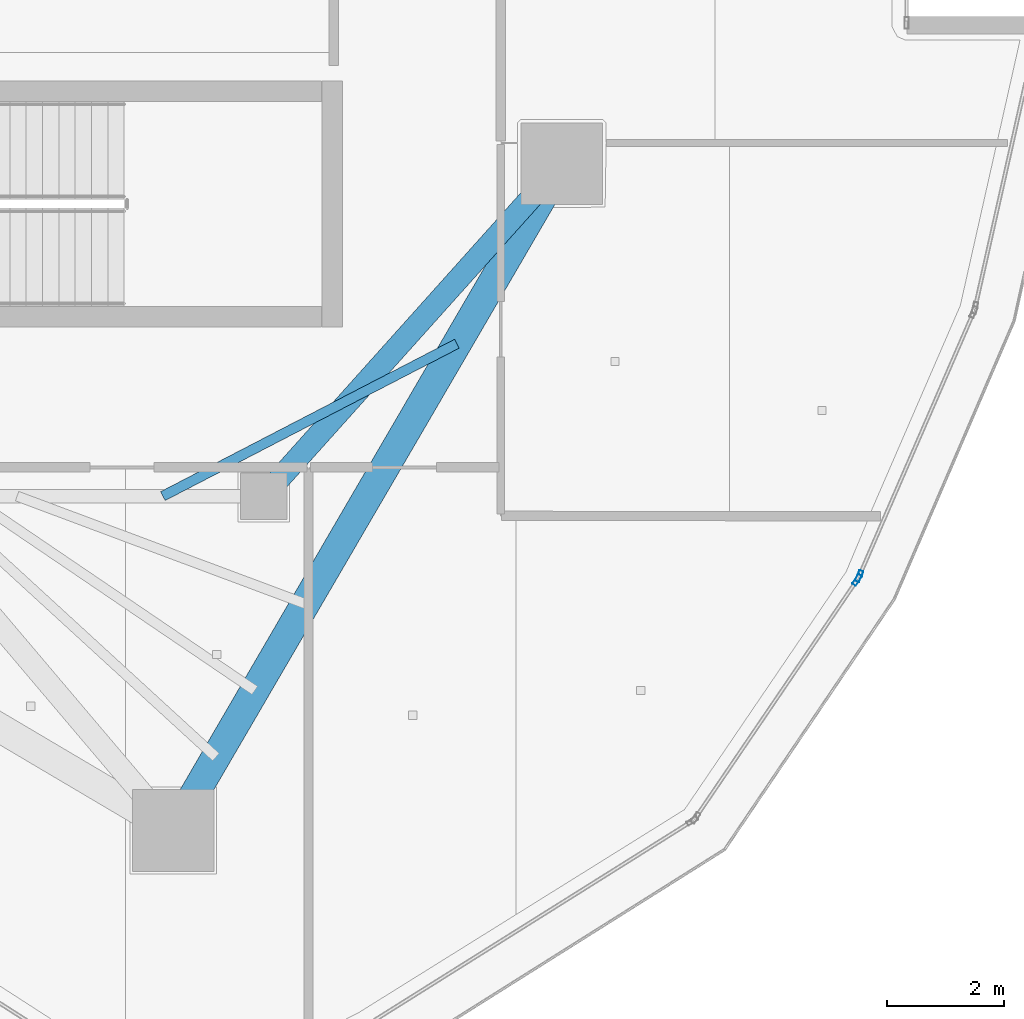
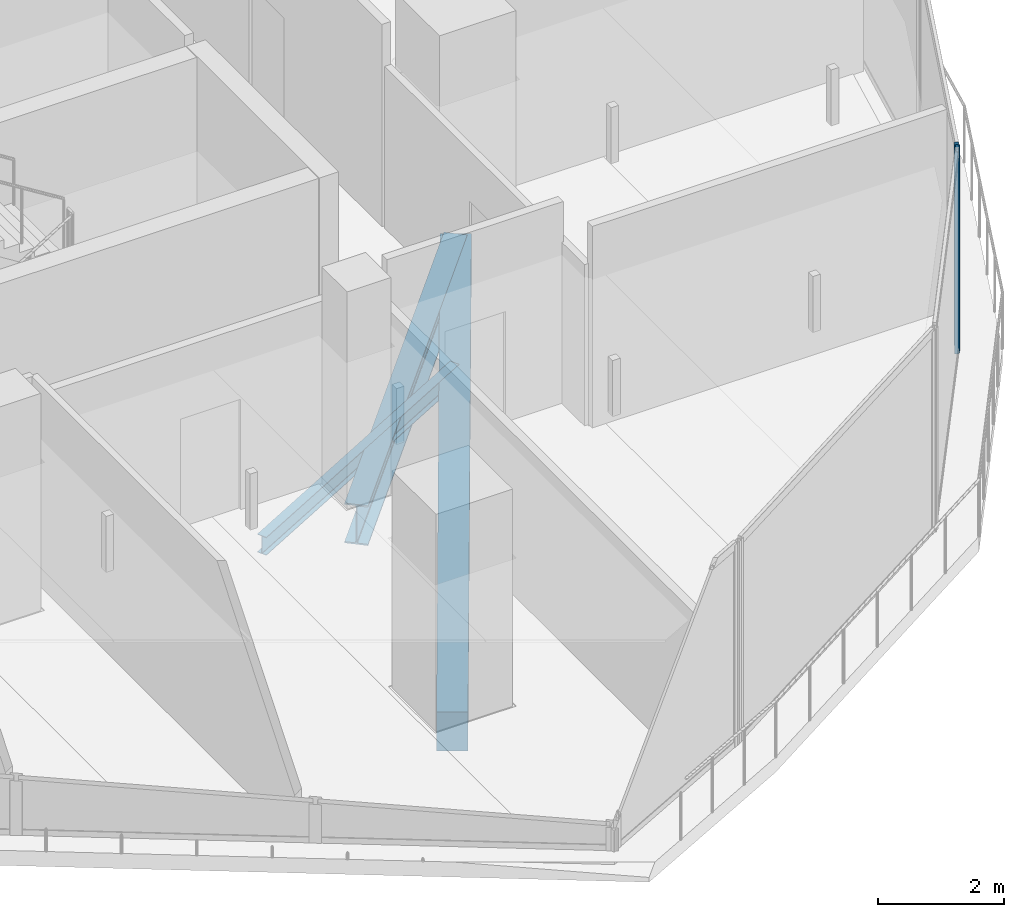
# One storey, part 8 of 25: 3 beams, 2 members, 2 elements without a shape of their own.
"""IFC4 building model written with IfcOpenShell, lengths in metres."""

from ifc_helpers import new_model, si_unit, direction, frame, origin, origin_2d, place, context, subcontext, project, spatial, rectangle, hollow_rectangle, i_section, extrude, material, layer, layer_set, material_profile, profile_set, type_object, element, aggregate, save


model = new_model("IFC4")

# Units and contexts
model_context = context("Model", 3, precision=1e-05, world=origin(), true_north=direction((0.0, 1.0)))
body_context = subcontext(model_context, "Body", "Model", "MODEL_VIEW")
ifc_project = project(units=[si_unit("LENGTHUNIT", "METRE"), si_unit("AREAUNIT", "SQUARE_METRE"), si_unit("VOLUMEUNIT", "CUBIC_METRE"), si_unit("PLANEANGLEUNIT", "RADIAN"), si_unit("MASSUNIT", "GRAM", prefix="KILO")], contexts=[model_context])

# Site, building, storey
site_placement = place(None, origin())
site = spatial("IfcSite", under=ifc_project, at=site_placement, CompositionType="ELEMENT")
building_placement = place(site_placement, origin())
building = spatial("IfcBuilding", under=site, at=building_placement, Name="Qorvath Tower", CompositionType="ELEMENT")
storey_placement = place(building_placement, frame((0.0, 0.0, 306.0)))
storey = spatial("IfcBuildingStorey", under=building, at=storey_placement, Name="L71", CompositionType="ELEMENT", Elevation=306.0)

# Beams
ifc_material_1 = material(Name="Steel ASTM A992 Grade 50", Category="steel")
ifc_material_profile_1 = material_profile(ifc_material_1, i_section(OverallWidth=0.381103515625, OverallDepth=0.77294921875, WebThickness=0.0166015625, FlangeThickness=0.027099609375, FilletRadius=0.01904296875, at=origin_2d()), Name="W30x173")
ifc_profile_set_1 = profile_set([ifc_material_profile_1], Name="Steel ASTM A992 Grade 50")
beam_type_1 = type_object("IfcBeamType", Name="BM-FG3", PredefinedType="BEAM", material=ifc_profile_set_1)
beam_1_placement = place(storey_placement, frame((-17.199951171875, -11.449951171875, -0.676513671875), z_axis=(0.667543184261, 0.744571082669, 0.0), x_axis=(-0.744571082669, 0.667543184261, 0.0)))
element("IfcBeam", 1, at=beam_1_placement, inside=storey, type_object=beam_type_1, Name="Radial Floor Girder CC3-MC4 L71", PredefinedType="BEAM", context=body_context, shape_type="SweptSolid", body=[
    extrude(i_section(OverallWidth=0.381103515625, OverallDepth=0.77294921875, WebThickness=0.0166015625, FlangeThickness=0.027099609375, FilletRadius=0.01904296875, at=origin_2d()), origin(), (0.0, 0.0, 1.0), 7.644775390625),
])
ifc_material_2 = material(Name="Steel ASTM A992 Grade 50", Category="steel")
ifc_material_profile_2 = material_profile(ifc_material_2, i_section(OverallWidth=0.1708984375, OverallDepth=0.35107421875, WebThickness=0.0068359375, FlangeThickness=0.009765625, FilletRadius=0.010009765625, at=origin_2d()), Name="W14x30")
ifc_profile_set_2 = profile_set([ifc_material_profile_2], Name="Steel ASTM A992 Grade 50")
beam_type_2 = type_object("IfcBeamType", Name="BM-FJ4", PredefinedType="JOIST", material=ifc_profile_set_2)
beam_2_placement = place(storey_placement, frame((-18.927978515625, -11.449951171875, -0.465576171875), z_axis=(0.887840529015, 0.460151274082, 0.0), x_axis=(-0.460151274082, 0.887840529015, 0.0)))
element("IfcBeam", 2, at=beam_2_placement, inside=storey, type_object=beam_type_2, Name="Composite Floor Joist SE2 L71", PredefinedType="JOIST", context=body_context, shape_type="SweptSolid", body=[
    extrude(i_section(OverallWidth=0.1708984375, OverallDepth=0.35107421875, WebThickness=0.0068359375, FlangeThickness=0.009765625, FilletRadius=0.010009765625, at=origin_2d()), origin(), (0.0, 0.0, 1.0), 5.670654296875),
])
ifc_material_3 = material(Name="Concrete C45/55", Category="concrete")
ifc_material_profile_3 = material_profile(ifc_material_3, rectangle(XDim=0.5, YDim=0.75, at=origin_2d()), Name="RCB 750x500")
ifc_profile_set_3 = profile_set([ifc_material_profile_3], Name="Concrete C45/55")
beam_type_3 = type_object("IfcBeamType", Name="BM-RCB3", PredefinedType="SPANDREL", material=ifc_profile_set_3)
beam_3_placement = place(storey_placement, frame((-18.75048828125, -17.175537109375, -0.6650390625), z_axis=(0.503502256692, 0.863993910572, 0.0), x_axis=(-0.863993910572, 0.503502256692, 0.0)))
element("IfcBeam", 3, at=beam_3_placement, inside=storey, type_object=beam_type_3, Name="Perimeter Loggia Frame Beam MC3-MC4 L71", PredefinedType="SPANDREL", context=body_context, shape_type="SweptSolid", body=[
    extrude(rectangle(XDim=0.5, YDim=0.75, at=origin_2d()), origin(), (0.0, 0.0, 1.0), 13.215087890625),
])

# Curtain wall, member
ifc_material_4 = material(Name="Anodised aluminium and triple low-E glass", Category="aluminium")
ifc_layer = layer(ifc_material_4, 0.179931640625)
ifc_layer_set = layer_set([ifc_layer], Name="CW-SYS-4")
curtain_wall_type = type_object("IfcCurtainWallType", Name="CW-SYS-4", PredefinedType="NOTDEFINED", material=ifc_layer_set)
curtain_wall_1_placement = place(storey_placement, origin())
curtain_wall_1 = element("IfcCurtainWall", 4, at=curtain_wall_1_placement, inside=storey, type_object=curtain_wall_type, Name="Curtain Wall CW-4 CW-T-L71-5.1", PredefinedType="NOTDEFINED")
ifc_material_5 = material(Name="Anodised aluminium 6063-T6", Category="aluminium")
ifc_material_profile_4 = material_profile(ifc_material_5, hollow_rectangle(XDim=0.074951171875, YDim=0.199951171875, WallThickness=0.00390625, InnerFilletRadius=0.00390625, OuterFilletRadius=0.008056640625, at=origin_2d()), Name="CWM 200x75")
ifc_profile_set_4 = profile_set([ifc_material_profile_4], Name="Anodised aluminium 6063-T6")
member_type = type_object("IfcMemberType", Name="CWM-200", PredefinedType="MULLION", material=ifc_profile_set_4)
member_1_placement = place(storey_placement, frame((-7.038330078125, -12.8857421875, 0.0), z_axis=(0.0, 0.0, 1.0), x_axis=(-0.827117964298, 0.562028356166, 0.0)))
member_1 = element("IfcMember", 5, at=member_1_placement, type_object=member_type, Name="CW-4 mullion 2", PredefinedType="MULLION", context=body_context, shape_type="SweptSolid", body=[
    extrude(hollow_rectangle(XDim=0.074951171875, YDim=0.199951171875, WallThickness=0.00390625, InnerFilletRadius=0.00390625, OuterFilletRadius=0.008056640625, at=origin_2d()), origin(), (0.0, 0.0, 1.0), 3.909912109375),
])
aggregate(curtain_wall_1, [member_1])

curtain_wall_2_placement = place(storey_placement, origin())
curtain_wall_2 = element("IfcCurtainWall", 6, at=curtain_wall_2_placement, inside=storey, type_object=curtain_wall_type, Name="Curtain Wall CW-4 CW-T-L71-6.1", PredefinedType="NOTDEFINED")
member_2_placement = place(storey_placement, frame((-7.00244140625, -12.8203125, 0.0), z_axis=(0.0, 0.0, 1.0), x_axis=(-0.917512584773, 0.397706747219, 0.0)))
member_2 = element("IfcMember", 7, at=member_2_placement, type_object=member_type, Name="CW-4 mullion 1", PredefinedType="MULLION", context=body_context, shape_type="SweptSolid", body=[
    extrude(hollow_rectangle(XDim=0.074951171875, YDim=0.199951171875, WallThickness=0.00390625, InnerFilletRadius=0.00390625, OuterFilletRadius=0.008056640625, at=origin_2d()), origin(), (0.0, 0.0, 1.0), 3.909912109375),
])
aggregate(curtain_wall_2, [member_2])

save(model, "model.ifc")
